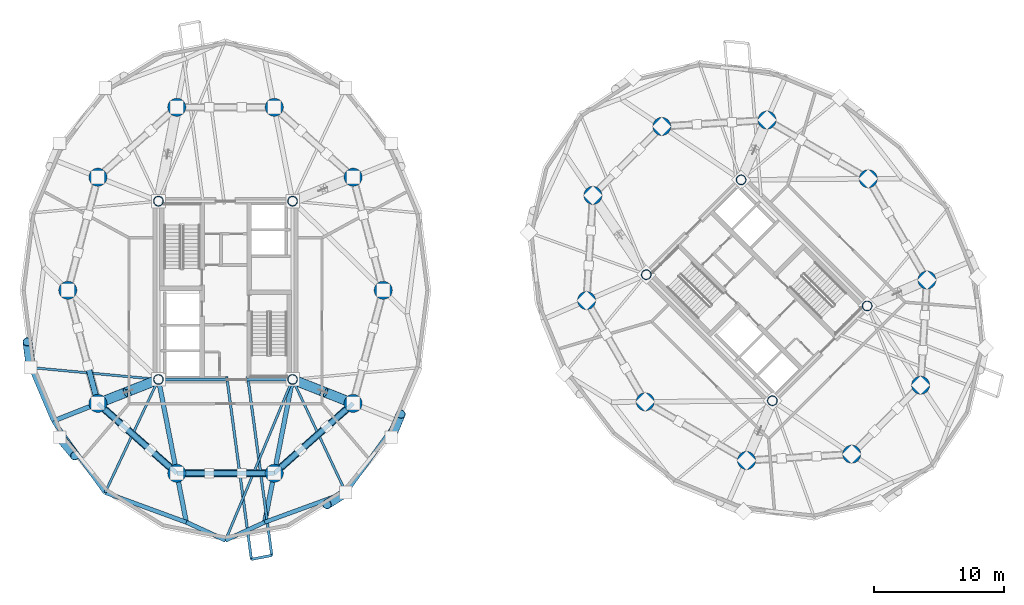
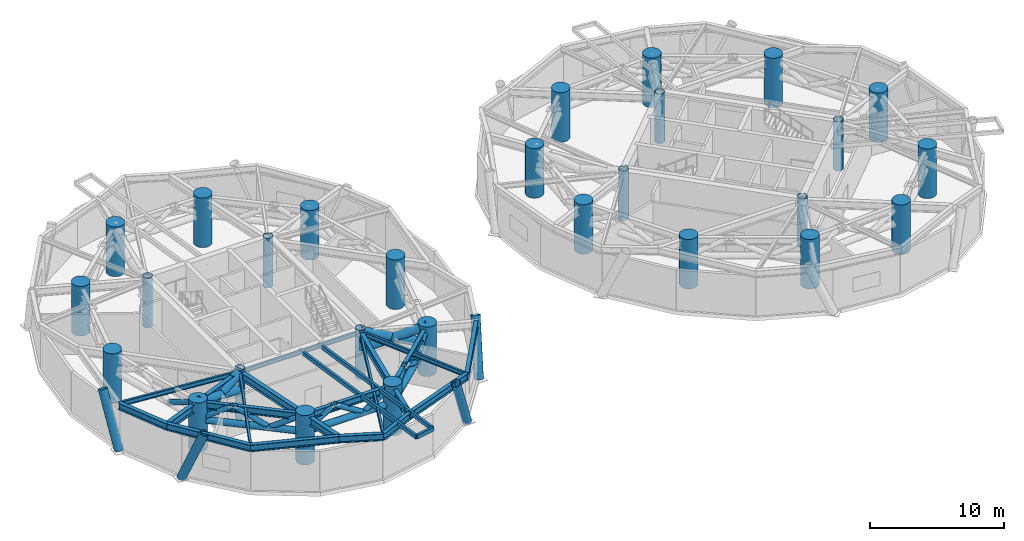
# One storey, part 1 of 16: 28 columns, 23 members, 21 beams.
"""IFC4 building model written with IfcOpenShell, lengths in metres."""

from ifc_helpers import new_model, si_unit, direction, frame, origin, origin_2d, place, context, subcontext, project, spatial, hollow_rectangle, circle, hollow_circle, i_section, extrude, material, material_profile, profile_set, type_object, element, save


model = new_model("IFC4")

# Units and contexts
model_context = context("Model", 3, precision=1e-05, world=origin(), true_north=direction((0.0, 1.0)))
body_context = subcontext(model_context, "Body", "Model", "MODEL_VIEW")
ifc_project = project(units=[si_unit("LENGTHUNIT", "METRE"), si_unit("AREAUNIT", "SQUARE_METRE"), si_unit("VOLUMEUNIT", "CUBIC_METRE"), si_unit("PLANEANGLEUNIT", "RADIAN"), si_unit("MASSUNIT", "GRAM", prefix="KILO")], contexts=[model_context])

# Site, building, storey
site_placement = place(None, origin())
site = spatial("IfcSite", under=ifc_project, at=site_placement, CompositionType="ELEMENT")
building_placement = place(site_placement, origin())
building = spatial("IfcBuilding", under=site, at=building_placement, Name="Cununo Teusaquillo Station Towers", CompositionType="ELEMENT")
storey_placement = place(building_placement, frame((0.0, 0.0, 65.64990234375)))
storey = spatial("IfcBuildingStorey", under=building, at=storey_placement, Name="L20", CompositionType="ELEMENT", Elevation=65.64990234375)

# Columns
ifc_material_1 = material(Name="Steel EN 10025-2 S355J2", Category="steel")
ifc_material_profile_1 = material_profile(ifc_material_1, hollow_circle(Radius=0.3798828125, WallThickness=0.031982421875, at=origin_2d()), Name="CHS 760x32")
ifc_profile_set_1 = profile_set([ifc_material_profile_1], Name="Steel EN 10025-2 S355J2")
column_type_1 = type_object("IfcColumnType", Name="COL-CORE-Z2", PredefinedType="COLUMN", material=ifc_profile_set_1)
for number, where, z_axis, x_axis, name in (
    (1, (11.324951171875, 17.6201171875, 0.0), (0.0, 0.0, 1.0), (1.0, 0.0, 0.0), "L20 Tower A Core Column 1"),
    (2, (11.324951171875, 31.3798828125, 0.0), (0.0, 0.0, 1.0), (1.0, 0.0, 0.0), "L20 Tower A Core Column 2"),
    (3, (21.675048828125, 17.6201171875, 0.0), (0.0, 0.0, 1.0), (1.0, 0.0, 0.0), "L20 Tower A Core Column 3"),
    (4, (21.675048828125, 31.3798828125, 0.0), (0.0, 0.0, 1.0), (1.0, 0.0, 0.0), "L20 Tower A Core Column 4"),
    (5, (58.70556640625, 15.975830078125, 0.0), (0.0, 0.0, 1.0), (0.707106781187, 0.707106781187, 0.0), "L20 Tower B Core Column 1"),
    (6, (48.975830078125, 25.70556640625, 0.0), (0.0, 0.0, 1.0), (0.707106781187, 0.707106781187, 0.0), "L20 Tower B Core Column 2"),
    (7, (66.024169921875, 23.29443359375, 0.0), (0.0, 0.0, 1.0), (0.707106781187, 0.707106781187, 0.0), "L20 Tower B Core Column 3"),
    (8, (56.29443359375, 33.024169921875, 0.0), (0.0, 0.0, 1.0), (0.707106781187, 0.707106781187, 0.0), "L20 Tower B Core Column 4"),
):
    element("IfcColumn", number, at=place(storey_placement, frame(where, z_axis=z_axis, x_axis=x_axis)), inside=storey, type_object=column_type_1, Name=name, PredefinedType="COLUMN", context=body_context, shape_type="SweptSolid", body=[
        extrude(hollow_circle(Radius=0.3798828125, WallThickness=0.031982421875, at=origin_2d()), origin(), (0.0, 0.0, 1.0), 4.5),
    ])
ifc_material_2 = material(Name="Concrete C60/75", Category="concrete")
ifc_material_profile_2 = material_profile(ifc_material_2, circle(Radius=0.699951171875, at=origin_2d()), Name="RC-CIRC-1400")
ifc_profile_set_2 = profile_set([ifc_material_profile_2], Name="Concrete C60/75")
column_type_2 = type_object("IfcColumnType", Name="COL-MEGA-Z2", PredefinedType="USERDEFINED", material=ifc_profile_set_2)
for number, where, z_axis, x_axis, name in (
    (9, (28.672119140625, 24.5, 0.0), (0.0, 0.0, 1.0), (1.0, 0.0, 0.0), "L20 Tower A Perimeter Column V00"),
    (10, (26.347412109375, 33.228515625, 0.0), (0.0, 0.0, 1.0), (1.0, 0.0, 0.0), "L20 Tower A Perimeter Column V02"),
    (11, (20.261474609375, 38.623291015625, 0.0), (0.0, 0.0, 1.0), (1.0, 0.0, 0.0), "L20 Tower A Perimeter Column V04"),
    (12, (12.738525390625, 38.623291015625, 0.0), (0.0, 0.0, 1.0), (1.0, 0.0, 0.0), "L20 Tower A Perimeter Column V06"),
    (13, (6.652587890625, 33.228515625, 0.0), (0.0, 0.0, 1.0), (1.0, 0.0, 0.0), "L20 Tower A Perimeter Column V08"),
    (14, (4.327880859375, 24.5, 0.0), (0.0, 0.0, 1.0), (1.0, 0.0, 0.0), "L20 Tower A Perimeter Column V10"),
    (15, (6.652587890625, 15.771484375, 0.0), (0.0, 0.0, 1.0), (1.0, 0.0, 0.0), "L20 Tower A Perimeter Column V12"),
    (16, (12.738525390625, 10.376708984375, 0.0), (0.0, 0.0, 1.0), (1.0, 0.0, 0.0), "L20 Tower A Perimeter Column V14"),
    (17, (20.261474609375, 10.376708984375, 0.0), (0.0, 0.0, 1.0), (1.0, 0.0, 0.0), "L20 Tower A Perimeter Column V16"),
    (18, (26.347412109375, 15.771484375, 0.0), (0.0, 0.0, 1.0), (1.0, 0.0, 0.0), "L20 Tower A Perimeter Column V18"),
    (19, (66.10693359375, 33.10693359375, 0.0), (0.0, 0.0, 1.0), (1.0, 0.0, 0.0), "L20 Tower B Perimeter Column V00"),
    (20, (58.291015625, 37.63525390625, 0.0), (0.0, 0.0, 1.0), (1.0, 0.0, 0.0), "L20 Tower B Perimeter Column V02"),
    (21, (50.173095703125, 37.146240234375, 0.0), (0.0, 0.0, 1.0), (1.0, 0.0, 0.0), "L20 Tower B Perimeter Column V04"),
    (22, (44.853759765625, 31.826904296875, 0.0), (0.0, 0.0, 1.0), (1.0, 0.0, 0.0), "L20 Tower B Perimeter Column V06"),
    (23, (44.36474609375, 23.708984375, 0.0), (0.0, 0.0, 1.0), (1.0, 0.0, 0.0), "L20 Tower B Perimeter Column V08"),
    (24, (48.89306640625, 15.89306640625, 0.0), (0.0, 0.0, 1.0), (1.0, 0.0, 0.0), "L20 Tower B Perimeter Column V10"),
    (25, (56.708984375, 11.36474609375, 0.0), (0.0, 0.0, 1.0), (1.0, 0.0, 0.0), "L20 Tower B Perimeter Column V12"),
    (26, (64.826904296875, 11.853759765625, 0.0), (0.0, 0.0, 1.0), (1.0, 0.0, 0.0), "L20 Tower B Perimeter Column V14"),
    (27, (70.146240234375, 17.173095703125, 0.0), (0.0, 0.0, 1.0), (1.0, 0.0, 0.0), "L20 Tower B Perimeter Column V16"),
    (28, (70.63525390625, 25.291015625, 0.0), (0.0, 0.0, 1.0), (1.0, 0.0, 0.0), "L20 Tower B Perimeter Column V18"),
):
    element("IfcColumn", number, at=place(storey_placement, frame(where, z_axis=z_axis, x_axis=x_axis)), inside=storey, type_object=column_type_2, Name=name, ObjectType="MEGA COLUMN", PredefinedType="USERDEFINED", context=body_context, shape_type="SweptSolid", body=[
        extrude(circle(Radius=0.699951171875, at=origin_2d()), origin(), (0.0, 0.0, 1.0), 4.5),
    ])

# Beams
ifc_material_3 = material(Name="Steel EN 10025-2 S355J2", Category="steel")
ifc_material_profile_3 = material_profile(ifc_material_3, hollow_rectangle(XDim=0.199951171875, YDim=0.35009765625, WallThickness=0.013916015625, at=origin_2d()), Name="RHS 350x200x14")
ifc_profile_set_3 = profile_set([ifc_material_profile_3], Name="Steel EN 10025-2 S355J2")
beam_type_1 = type_object("IfcBeamType", Name="BM-BAL-CANT", PredefinedType="BEAM", material=ifc_profile_set_3)
beam_1_placement = place(storey_placement, frame((16.59130859375, 17.85009765625, 4.085205078125), z_axis=(0.133936551357, -0.990989909237, 0.0), x_axis=(0.990989909237, 0.133936551357, 0.0)))
element("IfcBeam", 29, at=beam_1_placement, inside=storey, type_object=beam_type_1, Name="L20 Tower A Balcony Cantilever Bracket 2A", PredefinedType="BEAM", context=body_context, shape_type="SweptSolid", body=[
    extrude(hollow_rectangle(XDim=0.199951171875, YDim=0.35009765625, WallThickness=0.013916015625, at=origin_2d()), origin(), (0.0, 0.0, 1.0), 14.24169921875),
])
beam_2_placement = place(storey_placement, frame((18.206298828125, 17.85009765625, 4.085205078125), z_axis=(0.133960678738, -0.990986648019, 0.0), x_axis=(0.990986648019, 0.133960678738, 0.0)))
element("IfcBeam", 30, at=beam_2_placement, inside=storey, type_object=beam_type_1, Name="L20 Tower A Balcony Cantilever Bracket 2B", PredefinedType="BEAM", context=body_context, shape_type="SweptSolid", body=[
    extrude(hollow_rectangle(XDim=0.199951171875, YDim=0.35009765625, WallThickness=0.013916015625, at=origin_2d()), origin(), (0.0, 0.0, 1.0), 13.9345703125),
])
ifc_material_4 = material(Name="Steel ASTM A572 Grade 50", Category="steel")
ifc_material_profile_4 = material_profile(ifc_material_4, i_section(OverallWidth=0.180908203125, OverallDepth=0.4169921875, WebThickness=0.010986328125, FlangeThickness=0.018310546875, FilletRadius=0.012939453125, at=origin_2d()), Name="W16X57")
ifc_profile_set_4 = profile_set([ifc_material_profile_4], Name="Steel ASTM A572 Grade 50")
beam_type_2 = type_object("IfcBeamType", Name="BM-JOIST-1", PredefinedType="JOIST", material=ifc_profile_set_4)
beam_3_placement = place(storey_placement, frame((11.324951171875, 17.6201171875, 4.051513671875), z_axis=(-0.995678537907, 0.09286683558, 0.0), x_axis=(-0.09286683558, -0.995678537907, 0.0)))
element("IfcBeam", 31, at=beam_3_placement, inside=storey, type_object=beam_type_2, Name="L20 Tower A Radial Spandrel Joist V11", PredefinedType="JOIST", context=body_context, shape_type="SweptSolid", body=[
    extrude(i_section(OverallWidth=0.180908203125, OverallDepth=0.4169921875, WebThickness=0.010986328125, FlangeThickness=0.018310546875, FilletRadius=0.012939453125, at=origin_2d()), origin(), (0.0, 0.0, 1.0), 9.895263671875),
])
beam_4_placement = place(storey_placement, frame((11.324951171875, 17.6201171875, 4.051513671875), z_axis=(-0.426319838016, -0.904572493344, 0.0), x_axis=(0.904572493344, -0.426319838016, 0.0)))
element("IfcBeam", 32, at=beam_4_placement, inside=storey, type_object=beam_type_2, Name="L20 Tower A Radial Spandrel Joist V13", PredefinedType="JOIST", context=body_context, shape_type="SweptSolid", body=[
    extrude(i_section(OverallWidth=0.180908203125, OverallDepth=0.4169921875, WebThickness=0.010986328125, FlangeThickness=0.018310546875, FilletRadius=0.012939453125, at=origin_2d()), origin(), (0.0, 0.0, 1.0), 9.646728515625),
])
beam_5_placement = place(storey_placement, frame((21.675048828125, 17.6201171875, 4.051513671875), z_axis=(-0.38487837995, -0.922967297713, 0.0), x_axis=(0.922967297713, -0.38487837995, 0.0)))
element("IfcBeam", 33, at=beam_5_placement, inside=storey, type_object=beam_type_2, Name="L20 Tower A Radial Spandrel Joist V15", PredefinedType="JOIST", context=body_context, shape_type="SweptSolid", body=[
    extrude(i_section(OverallWidth=0.180908203125, OverallDepth=0.4169921875, WebThickness=0.010986328125, FlangeThickness=0.018310546875, FilletRadius=0.012939453125, at=origin_2d()), origin(), (0.0, 0.0, 1.0), 13.446044921875),
])
beam_6_placement = place(storey_placement, frame((21.675048828125, 17.6201171875, 4.051513671875), z_axis=(0.426319838016, -0.904572493344, 0.0), x_axis=(0.904572493344, 0.426319838016, 0.0)))
element("IfcBeam", 34, at=beam_6_placement, inside=storey, type_object=beam_type_2, Name="L20 Tower A Radial Spandrel Joist V17", PredefinedType="JOIST", context=body_context, shape_type="SweptSolid", body=[
    extrude(i_section(OverallWidth=0.180908203125, OverallDepth=0.4169921875, WebThickness=0.010986328125, FlangeThickness=0.018310546875, FilletRadius=0.012939453125, at=origin_2d()), origin(), (0.0, 0.0, 1.0), 9.646728515625),
])
ifc_material_5 = material(Name="Steel ASTM A572 Grade 50", Category="steel")
ifc_material_profile_5 = material_profile(ifc_material_5, i_section(OverallWidth=0.2041015625, OverallDepth=0.35009765625, WebThickness=0.008544921875, FlangeThickness=0.01513671875, FilletRadius=0.011962890625, at=origin_2d()), Name="W14X48")
ifc_profile_set_5 = profile_set([ifc_material_profile_5], Name="Steel ASTM A572 Grade 50")
beam_type_3 = type_object("IfcBeamType", Name="BM-LINTEL-1", PredefinedType="LINTEL", material=ifc_profile_set_5)
beam_7_placement = place(storey_placement, frame((11.324951171875, 17.6201171875, 4.085205078125), z_axis=(1.0, 0.0, 0.0), x_axis=(0.0, 1.0, 0.0)))
element("IfcBeam", 35, at=beam_7_placement, inside=storey, type_object=beam_type_3, Name="L20 Tower A Core Beam 3", PredefinedType="LINTEL", context=body_context, shape_type="SweptSolid", body=[
    extrude(i_section(OverallWidth=0.2041015625, OverallDepth=0.35009765625, WebThickness=0.008544921875, FlangeThickness=0.01513671875, FilletRadius=0.011962890625, at=origin_2d()), origin(), (0.0, 0.0, 1.0), 10.35009765625),
])
ifc_material_6 = material(Name="Steel ASTM A572 Grade 50", Category="steel")
ifc_material_profile_6 = material_profile(ifc_material_6, i_section(OverallWidth=0.35498046875, OverallDepth=0.696044921875, WebThickness=0.015380859375, FlangeThickness=0.02490234375, FilletRadius=0.01806640625, at=origin_2d()), Name="W27X146")
ifc_profile_set_6 = profile_set([ifc_material_profile_6], Name="Steel ASTM A572 Grade 50")
beam_type_4 = type_object("IfcBeamType", Name="BM-PLNT-G1", PredefinedType="BEAM", material=ifc_profile_set_6)
beam_8_placement = place(storey_placement, frame((11.324951171875, 17.6201171875, 3.912109375), z_axis=(-0.929863123823, -0.367905654963, 0.0), x_axis=(0.367905654963, -0.929863123823, 0.0)))
element("IfcBeam", 36, at=beam_8_placement, inside=storey, type_object=beam_type_4, Name="L20 Tower A Continuous Overhanging Radial Girder 07", PredefinedType="BEAM", context=body_context, shape_type="SweptSolid", body=[
    extrude(i_section(OverallWidth=0.35498046875, OverallDepth=0.696044921875, WebThickness=0.015380859375, FlangeThickness=0.02490234375, FilletRadius=0.01806640625, at=origin_2d()), origin(), (0.0, 0.0, 1.0), 8.715087890625),
])
for number, where, z_axis, x_axis, name in (
    (37, (11.324951171875, 17.6201171875, 3.912109375), (0.191552755713, -0.981482318628, 0.0), (0.981482318628, 0.191552755713, 0.0), "L20 Tower A Continuous Overhanging Radial Girder 08"),
    (38, (21.675048828125, 17.6201171875, 3.912109375), (-0.191552755713, -0.981482318628, 0.0), (0.981482318628, -0.191552755713, 0.0), "L20 Tower A Continuous Overhanging Radial Girder 09"),
):
    element("IfcBeam", number, at=place(storey_placement, frame(where, z_axis=z_axis, x_axis=x_axis)), inside=storey, type_object=beam_type_4, Name=name, PredefinedType="BEAM", context=body_context, shape_type="SweptSolid", body=[
        extrude(i_section(OverallWidth=0.35498046875, OverallDepth=0.696044921875, WebThickness=0.015380859375, FlangeThickness=0.02490234375, FilletRadius=0.01806640625, at=origin_2d()), origin(), (0.0, 0.0, 1.0), 11.22998046875),
    ])
ifc_material_7 = material(Name="Steel ASTM A572 Grade 50", Category="steel")
ifc_material_profile_7 = material_profile(ifc_material_7, i_section(OverallWidth=0.324951171875, OverallDepth=0.615966796875, WebThickness=0.013916015625, FlangeThickness=0.021484375, FilletRadius=0.01611328125, at=origin_2d()), Name="W24X117")
ifc_profile_set_7 = profile_set([ifc_material_profile_7], Name="Steel ASTM A572 Grade 50")
beam_type_5 = type_object("IfcBeamType", Name="BM-PLNT-G2", PredefinedType="BEAM", material=ifc_profile_set_7)
beam_9_placement = place(storey_placement, frame((6.652587890625, 15.771484375, 3.9521484375), z_axis=(0.74832120039, -0.66333655187, 0.0), x_axis=(0.66333655187, 0.74832120039, 0.0)))
element("IfcBeam", 39, at=beam_9_placement, inside=storey, type_object=beam_type_5, Name="L20 Tower A Structural Column Ring Girder 07", PredefinedType="BEAM", context=body_context, shape_type="SweptSolid", body=[
    extrude(i_section(OverallWidth=0.324951171875, OverallDepth=0.615966796875, WebThickness=0.013916015625, FlangeThickness=0.021484375, FilletRadius=0.01611328125, at=origin_2d()), origin(), (0.0, 0.0, 1.0), 8.1328125),
])
beam_10_placement = place(storey_placement, frame((12.738525390625, 10.376708984375, 3.9521484375), z_axis=(1.0, 0.0, 0.0), x_axis=(0.0, 1.0, 0.0)))
element("IfcBeam", 40, at=beam_10_placement, inside=storey, type_object=beam_type_5, Name="L20 Tower A Structural Column Ring Girder 08", PredefinedType="BEAM", context=body_context, shape_type="SweptSolid", body=[
    extrude(i_section(OverallWidth=0.324951171875, OverallDepth=0.615966796875, WebThickness=0.013916015625, FlangeThickness=0.021484375, FilletRadius=0.01611328125, at=origin_2d()), origin(), (0.0, 0.0, 1.0), 7.52294921875),
])
beam_11_placement = place(storey_placement, frame((20.261474609375, 10.376708984375, 3.9521484375), z_axis=(0.74832120039, 0.66333655187, 0.0), x_axis=(-0.66333655187, 0.74832120039, 0.0)))
element("IfcBeam", 41, at=beam_11_placement, inside=storey, type_object=beam_type_5, Name="L20 Tower A Structural Column Ring Girder 09", PredefinedType="BEAM", context=body_context, shape_type="SweptSolid", body=[
    extrude(i_section(OverallWidth=0.324951171875, OverallDepth=0.615966796875, WebThickness=0.013916015625, FlangeThickness=0.021484375, FilletRadius=0.01611328125, at=origin_2d()), origin(), (0.0, 0.0, 1.0), 8.1328125),
])
beam_12_placement = place(storey_placement, frame((1.472412109375, 18.5390625, 3.9521484375), z_axis=(0.390299356049, -0.920688010494, 0.0), x_axis=(0.920688010494, 0.390299356049, 0.0)))
element("IfcBeam", 42, at=beam_12_placement, inside=storey, type_object=beam_type_5, Name="L20 Tower A Spandrel Ring Beam 12", PredefinedType="BEAM", context=body_context, shape_type="SweptSolid", body=[
    extrude(i_section(OverallWidth=0.324951171875, OverallDepth=0.615966796875, WebThickness=0.013916015625, FlangeThickness=0.021484375, FilletRadius=0.01611328125, at=origin_2d()), origin(), (0.0, 0.0, 1.0), 4.480712890625),
])
beam_13_placement = place(storey_placement, frame((3.22119140625, 14.413818359375, 3.9521484375), z_axis=(0.58594455724, -0.810351143543, 0.0), x_axis=(0.810351143543, 0.58594455724, 0.0)))
element("IfcBeam", 43, at=beam_13_placement, inside=storey, type_object=beam_type_5, Name="L20 Tower A Spandrel Ring Beam 13", PredefinedType="BEAM", context=body_context, shape_type="SweptSolid", body=[
    extrude(i_section(OverallWidth=0.324951171875, OverallDepth=0.615966796875, WebThickness=0.013916015625, FlangeThickness=0.021484375, FilletRadius=0.01611328125, at=origin_2d()), origin(), (0.0, 0.0, 1.0), 6.8115234375),
])
beam_14_placement = place(storey_placement, frame((7.21240234375, 8.89404296875, 3.9521484375), z_axis=(0.938914161016, -0.34415141761, 0.0), x_axis=(0.34415141761, 0.938914161016, 0.0)))
element("IfcBeam", 44, at=beam_14_placement, inside=storey, type_object=beam_type_5, Name="L20 Tower A Spandrel Ring Beam 14", PredefinedType="BEAM", context=body_context, shape_type="SweptSolid", body=[
    extrude(i_section(OverallWidth=0.324951171875, OverallDepth=0.615966796875, WebThickness=0.013916015625, FlangeThickness=0.021484375, FilletRadius=0.01611328125, at=origin_2d()), origin(), (0.0, 0.0, 1.0), 6.671142578125),
])
for number, where, z_axis, x_axis, name in (
    (45, (13.47607421875, 6.59814453125, 3.9521484375), (0.908812215281, -0.417205413862, 0.0), (0.417205413862, 0.908812215281, 0.0), "L20 Tower A Spandrel Ring Beam 15"),
    (46, (16.5, 5.2099609375, 3.9521484375), (0.908812215281, 0.417205413862, 0.0), (-0.417205413862, 0.908812215281, 0.0), "L20 Tower A Spandrel Ring Beam 16"),
):
    element("IfcBeam", number, at=place(storey_placement, frame(where, z_axis=z_axis, x_axis=x_axis)), inside=storey, type_object=beam_type_5, Name=name, PredefinedType="BEAM", context=body_context, shape_type="SweptSolid", body=[
        extrude(i_section(OverallWidth=0.324951171875, OverallDepth=0.615966796875, WebThickness=0.013916015625, FlangeThickness=0.021484375, FilletRadius=0.01611328125, at=origin_2d()), origin(), (0.0, 0.0, 1.0), 3.327392578125),
    ])
beam_15_placement = place(storey_placement, frame((19.52392578125, 6.59814453125, 3.9521484375), z_axis=(0.938914161016, 0.34415141761, 0.0), x_axis=(-0.34415141761, 0.938914161016, 0.0)))
element("IfcBeam", 47, at=beam_15_placement, inside=storey, type_object=beam_type_5, Name="L20 Tower A Spandrel Ring Beam 17", PredefinedType="BEAM", context=body_context, shape_type="SweptSolid", body=[
    extrude(i_section(OverallWidth=0.324951171875, OverallDepth=0.615966796875, WebThickness=0.013916015625, FlangeThickness=0.021484375, FilletRadius=0.01611328125, at=origin_2d()), origin(), (0.0, 0.0, 1.0), 6.671142578125),
])
beam_16_placement = place(storey_placement, frame((25.78759765625, 8.89404296875, 3.9521484375), z_axis=(0.58594455724, 0.810351143543, 0.0), x_axis=(-0.810351143543, 0.58594455724, 0.0)))
element("IfcBeam", 48, at=beam_16_placement, inside=storey, type_object=beam_type_5, Name="L20 Tower A Spandrel Ring Beam 18", PredefinedType="BEAM", context=body_context, shape_type="SweptSolid", body=[
    extrude(i_section(OverallWidth=0.324951171875, OverallDepth=0.615966796875, WebThickness=0.013916015625, FlangeThickness=0.021484375, FilletRadius=0.01611328125, at=origin_2d()), origin(), (0.0, 0.0, 1.0), 6.8115234375),
])
ifc_material_8 = material(Name="Steel EN 10025-2 S355J2", Category="steel")
ifc_material_profile_8 = material_profile(ifc_material_8, hollow_rectangle(XDim=0.199951171875, YDim=0.35009765625, WallThickness=0.013916015625, at=origin_2d()), Name="RHS 350x200x14")
ifc_profile_set_8 = profile_set([ifc_material_profile_8], Name="Steel EN 10025-2 S355J2")
beam_type_6 = type_object("IfcBeamType", Name="BM-STAIR-TRIM", PredefinedType="BEAM", material=ifc_profile_set_8)
beam_17_placement = place(storey_placement, frame((18.498779296875, 3.73681640625, 4.114990234375), z_axis=(0.981836621572, 0.189728354603, 0.0), x_axis=(-0.189728354603, 0.981836621572, 0.0)))
element("IfcBeam", 49, at=beam_17_placement, inside=storey, type_object=beam_type_6, Name="L20 Tower A Balcony Edge Trimmer Beam 2", PredefinedType="BEAM", context=body_context, shape_type="SweptSolid", body=[
    extrude(hollow_rectangle(XDim=0.199951171875, YDim=0.35009765625, WallThickness=0.013916015625, at=origin_2d()), origin(), (0.0, 0.0, 1.0), 1.603271484375),
])

# Members
ifc_material_9 = material(Name="Steel EN 10025-2 S355J2", Category="steel")
ifc_material_profile_9 = material_profile(ifc_material_9, hollow_circle(Radius=0.279541015625, WallThickness=0.02001953125, at=origin_2d()), Name="CHS 559x20")
ifc_profile_set_9 = profile_set([ifc_material_profile_9], Name="Steel EN 10025-2 S355J2")
member_type_1 = type_object("IfcMemberType", Name="MBR-BELT-CH", PredefinedType="CHORD", material=ifc_profile_set_9)
member_1_placement = place(storey_placement, frame((6.652587890625, 15.771484375, 2.580078125), z_axis=(0.74832120039, -0.66333655187, 0.0), x_axis=(0.66333655187, 0.74832120039, 0.0)))
element("IfcMember", 50, at=member_1_placement, inside=storey, type_object=member_type_1, Name="L20 Tower A Belt Truss Lower Chord 07", PredefinedType="CHORD", context=body_context, shape_type="SweptSolid", body=[
    extrude(hollow_circle(Radius=0.279541015625, WallThickness=0.02001953125, at=origin_2d()), origin(), (0.0, 0.0, 1.0), 8.1328125),
])
member_2_placement = place(storey_placement, frame((12.738525390625, 10.376708984375, 2.580078125), z_axis=(1.0, 0.0, 0.0), x_axis=(0.0, 1.0, 0.0)))
element("IfcMember", 51, at=member_2_placement, inside=storey, type_object=member_type_1, Name="L20 Tower A Belt Truss Lower Chord 08", PredefinedType="CHORD", context=body_context, shape_type="SweptSolid", body=[
    extrude(hollow_circle(Radius=0.279541015625, WallThickness=0.02001953125, at=origin_2d()), origin(), (0.0, 0.0, 1.0), 7.52294921875),
])
member_3_placement = place(storey_placement, frame((20.261474609375, 10.376708984375, 2.580078125), z_axis=(0.74832120039, 0.66333655187, 0.0), x_axis=(-0.66333655187, 0.74832120039, 0.0)))
element("IfcMember", 52, at=member_3_placement, inside=storey, type_object=member_type_1, Name="L20 Tower A Belt Truss Lower Chord 09", PredefinedType="CHORD", context=body_context, shape_type="SweptSolid", body=[
    extrude(hollow_circle(Radius=0.279541015625, WallThickness=0.02001953125, at=origin_2d()), origin(), (0.0, 0.0, 1.0), 8.1328125),
])
ifc_material_10 = material(Name="Steel EN 10025-2 S355J2", Category="steel")
ifc_material_profile_10 = material_profile(ifc_material_10, hollow_circle(Radius=0.228515625, WallThickness=0.01611328125, at=origin_2d()), Name="CHS 457x16")
ifc_profile_set_10 = profile_set([ifc_material_profile_10], Name="Steel EN 10025-2 S355J2")
member_type_2 = type_object("IfcMemberType", Name="MBR-BELT-WB", PredefinedType="BRACE", material=ifc_profile_set_10)
member_4_placement = place(storey_placement, frame((5.877685546875, 18.680908203125, 2.580078125), z_axis=(0.227269174645, -0.85329765414, 0.469288648589), x_axis=(0.96631295405, 0.257369918281, 0.0)))
element("IfcMember", 53, at=member_4_placement, inside=storey, type_object=member_type_2, Name="L20 Tower A Belt Truss Warren Brace 06C", PredefinedType="BRACE", context=body_context, shape_type="SweptSolid", body=[
    extrude(hollow_circle(Radius=0.228515625, WallThickness=0.01611328125, at=origin_2d()), origin(), (0.0, 0.0, 1.0), 3.40966796875),
])
member_5_placement = place(storey_placement, frame((6.652587890625, 15.771484375, 2.580078125), z_axis=(0.644459185308, -0.571249862693, 0.508277436884), x_axis=(0.663323560468, 0.748332716195, 0.0)))
element("IfcMember", 54, at=member_5_placement, inside=storey, type_object=member_type_2, Name="L20 Tower A Belt Truss Warren Brace 07A", PredefinedType="BRACE", context=body_context, shape_type="SweptSolid", body=[
    extrude(hollow_circle(Radius=0.228515625, WallThickness=0.01611328125, at=origin_2d()), origin(), (0.0, 0.0, 1.0), 3.148193359375),
])
member_6_placement = place(storey_placement, frame((8.681396484375, 13.97314453125, 4.18017578125), z_axis=(0.644442390701, -0.571226165305, -0.508325361494), x_axis=(0.663317831046, 0.748337794727, 0.0)))
element("IfcMember", 55, at=member_6_placement, inside=storey, type_object=member_type_2, Name="L20 Tower A Belt Truss Warren Brace 07B", PredefinedType="BRACE", context=body_context, shape_type="SweptSolid", body=[
    extrude(hollow_circle(Radius=0.228515625, WallThickness=0.01611328125, at=origin_2d()), origin(), (0.0, 0.0, 1.0), 3.147705078125),
])
member_7_placement = place(storey_placement, frame((10.7099609375, 12.175048828125, 2.580078125), z_axis=(0.644413839252, -0.57127841376, 0.50830284059), x_axis=(0.66336826295, 0.748293089445, 0.0)))
element("IfcMember", 56, at=member_7_placement, inside=storey, type_object=member_type_2, Name="L20 Tower A Belt Truss Warren Brace 07C", PredefinedType="BRACE", context=body_context, shape_type="SweptSolid", body=[
    extrude(hollow_circle(Radius=0.228515625, WallThickness=0.01611328125, at=origin_2d()), origin(), (0.0, 0.0, 1.0), 3.14794921875),
])
member_8_placement = place(storey_placement, frame((12.738525390625, 10.376708984375, 2.580078125), z_axis=(0.842995063777, 0.0, 0.537921297634), x_axis=(0.0, 1.0, 0.0)))
element("IfcMember", 57, at=member_8_placement, inside=storey, type_object=member_type_2, Name="L20 Tower A Belt Truss Warren Brace 08A", PredefinedType="BRACE", context=body_context, shape_type="SweptSolid", body=[
    extrude(hollow_circle(Radius=0.228515625, WallThickness=0.01611328125, at=origin_2d()), origin(), (0.0, 0.0, 1.0), 2.974609375),
])
member_9_placement = place(storey_placement, frame((15.24609375, 10.376708984375, 4.18017578125), z_axis=(0.843018810556, 0.0, -0.537884081424), x_axis=(0.0, 1.0, 0.0)))
element("IfcMember", 58, at=member_9_placement, inside=storey, type_object=member_type_2, Name="L20 Tower A Belt Truss Warren Brace 08B", PredefinedType="BRACE", context=body_context, shape_type="SweptSolid", body=[
    extrude(hollow_circle(Radius=0.228515625, WallThickness=0.01611328125, at=origin_2d()), origin(), (0.0, 0.0, 1.0), 2.974853515625),
])
member_10_placement = place(storey_placement, frame((17.75390625, 10.376708984375, 2.580078125), z_axis=(0.842995063777, 0.0, 0.537921297634), x_axis=(0.0, 1.0, 0.0)))
element("IfcMember", 59, at=member_10_placement, inside=storey, type_object=member_type_2, Name="L20 Tower A Belt Truss Warren Brace 08C", PredefinedType="BRACE", context=body_context, shape_type="SweptSolid", body=[
    extrude(hollow_circle(Radius=0.228515625, WallThickness=0.01611328125, at=origin_2d()), origin(), (0.0, 0.0, 1.0), 2.974609375),
])
member_11_placement = place(storey_placement, frame((20.261474609375, 10.376708984375, 2.580078125), z_axis=(0.644413839252, 0.57127841376, 0.50830284059), x_axis=(-0.66336826295, 0.748293089445, 0.0)))
element("IfcMember", 60, at=member_11_placement, inside=storey, type_object=member_type_2, Name="L20 Tower A Belt Truss Warren Brace 09A", PredefinedType="BRACE", context=body_context, shape_type="SweptSolid", body=[
    extrude(hollow_circle(Radius=0.228515625, WallThickness=0.01611328125, at=origin_2d()), origin(), (0.0, 0.0, 1.0), 3.14794921875),
])
member_12_placement = place(storey_placement, frame((22.2900390625, 12.175048828125, 4.18017578125), z_axis=(0.644442390701, 0.571226165305, -0.508325361494), x_axis=(-0.663317831046, 0.748337794727, 0.0)))
element("IfcMember", 61, at=member_12_placement, inside=storey, type_object=member_type_2, Name="L20 Tower A Belt Truss Warren Brace 09B", PredefinedType="BRACE", context=body_context, shape_type="SweptSolid", body=[
    extrude(hollow_circle(Radius=0.228515625, WallThickness=0.01611328125, at=origin_2d()), origin(), (0.0, 0.0, 1.0), 3.147705078125),
])
member_13_placement = place(storey_placement, frame((24.318603515625, 13.97314453125, 2.580078125), z_axis=(0.644459185308, 0.571249862693, 0.508277436884), x_axis=(-0.663323560468, 0.748332716195, 0.0)))
element("IfcMember", 62, at=member_13_placement, inside=storey, type_object=member_type_2, Name="L20 Tower A Belt Truss Warren Brace 09C", PredefinedType="BRACE", context=body_context, shape_type="SweptSolid", body=[
    extrude(hollow_circle(Radius=0.228515625, WallThickness=0.01611328125, at=origin_2d()), origin(), (0.0, 0.0, 1.0), 3.148193359375),
])
ifc_material_11 = material(Name="Steel EN 10025-2 S355J2", Category="steel")
ifc_material_profile_11 = material_profile(ifc_material_11, hollow_circle(Radius=0.360107421875, WallThickness=0.028076171875, at=origin_2d()), Name="CHS 720x28")
ifc_profile_set_11 = profile_set([ifc_material_profile_11], Name="Steel EN 10025-2 S355J2")
member_type_3 = type_object("IfcMemberType", Name="MBR-DIAG-Z1", PredefinedType="BRACE", material=ifc_profile_set_11)
member_14_placement = place(storey_placement, frame((1.472412109375, 18.5390625, -0.139892578125), z_axis=(-0.052337735011, 0.403387145129, 0.913531374742), x_axis=(-0.991687829619, -0.128667200894, 0.0)))
element("IfcMember", 63, at=member_14_placement, inside=storey, type_object=member_type_3, Name="L20 Tower A Folded-Zigzag Diagrid Tube C10", PredefinedType="BRACE", context=body_context, shape_type="SweptSolid", body=[
    extrude(hollow_circle(Radius=0.360107421875, WallThickness=0.028076171875, at=origin_2d()), origin(), (0.0, 0.0, 1.0), 4.926025390625),
])
member_15_placement = place(storey_placement, frame((3.716796875, 13.16162109375, -0.139892578125), z_axis=(0.23966149368, -0.292646170091, 0.925700052705), x_axis=(0.773667352654, 0.633592003924, 0.0)))
element("IfcMember", 64, at=member_15_placement, inside=storey, type_object=member_type_3, Name="L20 Tower A Folded-Zigzag Diagrid Tube C12", PredefinedType="BRACE", context=body_context, shape_type="SweptSolid", body=[
    extrude(hollow_circle(Radius=0.360107421875, WallThickness=0.028076171875, at=origin_2d()), origin(), (0.0, 0.0, 1.0), 4.861083984375),
])
member_16_placement = place(storey_placement, frame((25.78759765625, 8.89404296875, -0.139892578125), z_axis=(-0.304569035114, -0.189456727696, 0.933458007187), x_axis=(0.528195574716, -0.849122744278, 0.0)))
element("IfcMember", 65, at=member_16_placement, inside=storey, type_object=member_type_3, Name="L20 Tower A Folded-Zigzag Diagrid Tube C16", PredefinedType="BRACE", context=body_context, shape_type="SweptSolid", body=[
    extrude(hollow_circle(Radius=0.360107421875, WallThickness=0.028076171875, at=origin_2d()), origin(), (0.0, 0.0, 1.0), 4.82080078125),
])
member_17_placement = place(storey_placement, frame((29.283203125, 13.16162109375, -0.139892578125), z_axis=(0.152671362729, 0.365713913591, 0.918120247249), x_axis=(-0.922816406816, 0.385240028179, 0.0)))
element("IfcMember", 66, at=member_17_placement, inside=storey, type_object=member_type_3, Name="L20 Tower A Folded-Zigzag Diagrid Tube C18", PredefinedType="BRACE", context=body_context, shape_type="SweptSolid", body=[
    extrude(hollow_circle(Radius=0.360107421875, WallThickness=0.028076171875, at=origin_2d()), origin(), (0.0, 0.0, 1.0), 4.9013671875),
])
ifc_material_12 = material(Name="Steel EN 10025-2 S355J2", Category="steel")
ifc_material_profile_12 = material_profile(ifc_material_12, hollow_circle(Radius=0.3798828125, WallThickness=0.031982421875, at=origin_2d()), Name="CHS 760x32")
ifc_profile_set_12 = profile_set([ifc_material_profile_12], Name="Steel EN 10025-2 S355J2")
member_type_4 = type_object("IfcMemberType", Name="MBR-OUTR-1", PredefinedType="STRUT", material=ifc_profile_set_12)
member_18_placement = place(storey_placement, frame((11.324951171875, 17.6201171875, 2.580078125), z_axis=(-0.886025028517, -0.350558131254, 0.30342815534), x_axis=(0.367903176814, -0.929864104313, 0.0)))
element("IfcMember", 67, at=member_18_placement, inside=storey, type_object=member_type_4, Name="L20 Tower A Outrigger Continuous Diagonal 3A", PredefinedType="STRUT", context=body_context, shape_type="SweptSolid", body=[
    extrude(hollow_circle(Radius=0.3798828125, WallThickness=0.031982421875, at=origin_2d()), origin(), (0.0, 0.0, 1.0), 5.2734375),
])
for number, where, z_axis, x_axis, name in (
    (68, (11.324951171875, 17.6201171875, 4.18017578125), (-0.885997877051, -0.350609875007, -0.303447651843), (0.367959878356, -0.9298416682, 0.0), "L20 Tower A Outrigger Split Upper Strut 3B1"),
    (69, (8.776123046875, 16.611572265625, 3.307373046875), (-0.886029516599, -0.350520529618, -0.303458488152), (0.36786744404, -0.929878241285, 0.0), "L20 Tower A Outrigger Split Lower Strut 3B2"),
):
    element("IfcMember", number, at=place(storey_placement, frame(where, z_axis=z_axis, x_axis=x_axis)), inside=storey, type_object=member_type_4, Name=name, PredefinedType="STRUT", context=body_context, shape_type="SweptSolid", body=[
        extrude(hollow_circle(Radius=0.3798828125, WallThickness=0.031982421875, at=origin_2d()), origin(), (0.0, 0.0, 1.0), 2.396728515625),
    ])
member_19_placement = place(storey_placement, frame((21.675048828125, 17.6201171875, 2.580078125), z_axis=(0.886025028517, -0.350558131254, 0.30342815534), x_axis=(0.367903176814, 0.929864104313, 0.0)))
element("IfcMember", 70, at=member_19_placement, inside=storey, type_object=member_type_4, Name="L20 Tower A Outrigger Continuous Diagonal 4A", PredefinedType="STRUT", context=body_context, shape_type="SweptSolid", body=[
    extrude(hollow_circle(Radius=0.3798828125, WallThickness=0.031982421875, at=origin_2d()), origin(), (0.0, 0.0, 1.0), 5.2734375),
])
for number, where, z_axis, x_axis, name in (
    (71, (21.675048828125, 17.6201171875, 4.18017578125), (0.885997877051, -0.350609875007, -0.303447651843), (0.367959878356, 0.9298416682, 0.0), "L20 Tower A Outrigger Split Upper Strut 4B1"),
    (72, (24.223876953125, 16.611572265625, 3.307373046875), (0.886029516599, -0.350520529618, -0.303458488152), (0.36786744404, 0.929878241285, 0.0), "L20 Tower A Outrigger Split Lower Strut 4B2"),
):
    element("IfcMember", number, at=place(storey_placement, frame(where, z_axis=z_axis, x_axis=x_axis)), inside=storey, type_object=member_type_4, Name=name, PredefinedType="STRUT", context=body_context, shape_type="SweptSolid", body=[
        extrude(hollow_circle(Radius=0.3798828125, WallThickness=0.031982421875, at=origin_2d()), origin(), (0.0, 0.0, 1.0), 2.396728515625),
    ])

save(model, "model.ifc")
